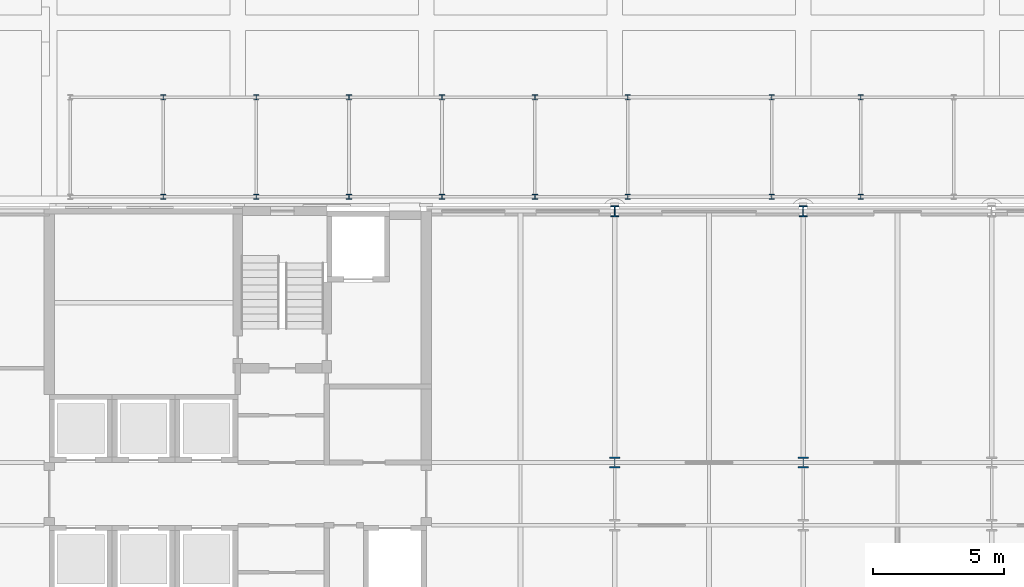
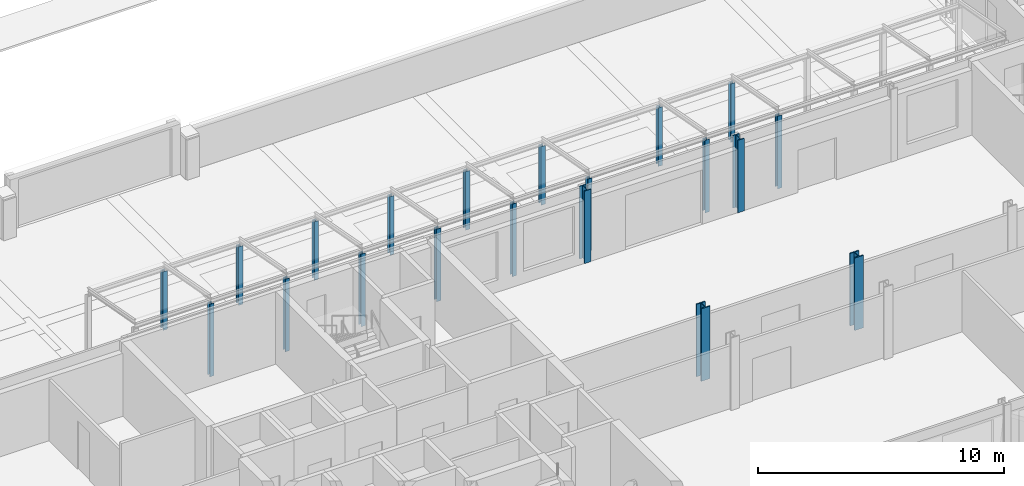
# One storey, part 18 of 143: 20 columns.
"""IFC4 building model written with IfcOpenShell, lengths in metres."""

from ifc_helpers import new_model, si_unit, direction, frame, origin, origin_2d, place, context, subcontext, project, spatial, i_section, extrude, material, material_profile, profile_set, type_object, element, save


model = new_model("IFC4")

# Units and contexts
model_context = context("Model", 3, precision=1e-05, world=origin(), true_north=direction((0.0, 1.0)))
body_context = subcontext(model_context, "Body", "Model", "MODEL_VIEW")
ifc_project = project(units=[si_unit("LENGTHUNIT", "METRE"), si_unit("AREAUNIT", "SQUARE_METRE"), si_unit("VOLUMEUNIT", "CUBIC_METRE"), si_unit("PLANEANGLEUNIT", "RADIAN"), si_unit("MASSUNIT", "GRAM", prefix="KILO")], contexts=[model_context])

# Site, building, storey
site_placement = place(None, origin())
site = spatial("IfcSite", under=ifc_project, at=site_placement, CompositionType="ELEMENT")
building_placement = place(site_placement, origin())
building = spatial("IfcBuilding", under=site, at=building_placement, Name="Kupolbacken Congress Centre", CompositionType="ELEMENT")
storey_placement = place(building_placement, frame((0.0, 0.0, 7.199951171875)))
storey = spatial("IfcBuildingStorey", under=building, at=storey_placement, Name="L02", CompositionType="ELEMENT", Elevation=7.199951171875)

# Columns
ifc_material_1 = material(Name="Steel S355", Category="steel")
ifc_material_profile_1 = material_profile(ifc_material_1, i_section(OverallWidth=0.408935546875, OverallDepth=0.425048828125, WebThickness=0.03271484375, FlangeThickness=0.052490234375, FilletRadius=0.014892578125, at=origin_2d()), Name="HD 400 x 421")
ifc_profile_set_1 = profile_set([ifc_material_profile_1], Name="Steel S355")
column_type_1 = type_object("IfcColumnType", Name="C01 column HD 400 x 421", PredefinedType="COLUMN", material=ifc_profile_set_1)
for number, where, z_axis, x_axis, name in (
    (1, (115.199951171875, 134.39990234375, 0.0), (0.0, 0.0, 1.0), (1.0, 0.0, 0.0), "S/col/C-T-17U+4800/L02"),
    (2, (122.39990234375, 134.39990234375, 0.0), (0.0, 0.0, 1.0), (1.0, 0.0, 0.0), "S/col/C-T-18U+4800/L02"),
):
    element("IfcColumn", number, at=place(storey_placement, frame(where, z_axis=z_axis, x_axis=x_axis)), inside=storey, type_object=column_type_1, Name=name, PredefinedType="COLUMN", context=body_context, shape_type="SweptSolid", body=[
        extrude(i_section(OverallWidth=0.408935546875, OverallDepth=0.425048828125, WebThickness=0.03271484375, FlangeThickness=0.052490234375, FilletRadius=0.014892578125, at=origin_2d()), origin(), (0.0, 0.0, 1.0), 3.60009765625),
    ])
ifc_material_2 = material(Name="Steel S355", Category="steel")
ifc_material_profile_2 = material_profile(ifc_material_2, i_section(OverallWidth=0.306884765625, OverallDepth=0.431884765625, WebThickness=0.02099609375, FlangeThickness=0.0400390625, FilletRadius=0.027099609375, at=origin_2d()), Name="HEM 400")
ifc_profile_set_2 = profile_set([ifc_material_profile_2], Name="Steel S355")
column_type_2 = type_object("IfcColumnType", Name="C02 column HEM 400", PredefinedType="COLUMN", material=ifc_profile_set_2)
for number, where, z_axis, x_axis, name in (
    (3, (115.199951171875, 144.0, 0.0), (0.0, 0.0, 1.0), (1.0, 0.0, 0.0), "S/col/C-T-17W/L02"),
    (4, (122.39990234375, 144.0, 0.0), (0.0, 0.0, 1.0), (1.0, 0.0, 0.0), "S/col/C-T-18W/L02"),
):
    element("IfcColumn", number, at=place(storey_placement, frame(where, z_axis=z_axis, x_axis=x_axis)), inside=storey, type_object=column_type_2, Name=name, PredefinedType="COLUMN", context=body_context, shape_type="SweptSolid", body=[
        extrude(i_section(OverallWidth=0.306884765625, OverallDepth=0.431884765625, WebThickness=0.02099609375, FlangeThickness=0.0400390625, FilletRadius=0.027099609375, at=origin_2d()), origin(), (0.0, 0.0, 1.0), 3.60009765625),
    ])
ifc_material_3 = material(Name="Steel S355", Category="steel")
ifc_material_profile_3 = material_profile(ifc_material_3, i_section(OverallWidth=0.199951171875, OverallDepth=0.199951171875, WebThickness=0.009033203125, FlangeThickness=0.014892578125, FilletRadius=0.01806640625, at=origin_2d()), Name="HEB 200")
ifc_profile_set_3 = profile_set([ifc_material_profile_3], Name="Steel S355")
column_type_3 = type_object("IfcColumnType", Name="C11 column HEB 200", PredefinedType="COLUMN", material=ifc_profile_set_3)
column_1_placement = place(storey_placement, frame((97.949951171875, 144.550048828125, 0.0), z_axis=(0.0, 0.0, 1.0), x_axis=(1.0, 0.0, 0.0)))
element("IfcColumn", 5, at=column_1_placement, inside=storey, type_object=column_type_3, Name="Covered passage column", PredefinedType="COLUMN", context=body_context, shape_type="SweptSolid", body=[
    extrude(i_section(OverallWidth=0.199951171875, OverallDepth=0.199951171875, WebThickness=0.009033203125, FlangeThickness=0.014892578125, FilletRadius=0.01806640625, at=origin_2d()), origin(), (0.0, 0.0, 1.0), 3.60009765625),
])
column_2_placement = place(storey_placement, frame((97.949951171875, 148.35009765625, 0.0), z_axis=(0.0, 0.0, 1.0), x_axis=(1.0, 0.0, 0.0)))
element("IfcColumn", 6, at=column_2_placement, inside=storey, type_object=column_type_3, Name="Covered passage column", PredefinedType="COLUMN", context=body_context, shape_type="SweptSolid", body=[
    extrude(i_section(OverallWidth=0.199951171875, OverallDepth=0.199951171875, WebThickness=0.009033203125, FlangeThickness=0.014892578125, FilletRadius=0.01806640625, at=origin_2d()), origin(), (0.0, 0.0, 1.0), 2.900146484375),
])
column_3_placement = place(storey_placement, frame((101.5, 144.550048828125, 0.0), z_axis=(0.0, 0.0, 1.0), x_axis=(1.0, 0.0, 0.0)))
element("IfcColumn", 7, at=column_3_placement, inside=storey, type_object=column_type_3, Name="Covered passage column", PredefinedType="COLUMN", context=body_context, shape_type="SweptSolid", body=[
    extrude(i_section(OverallWidth=0.199951171875, OverallDepth=0.199951171875, WebThickness=0.009033203125, FlangeThickness=0.014892578125, FilletRadius=0.01806640625, at=origin_2d()), origin(), (0.0, 0.0, 1.0), 3.60009765625),
])
column_4_placement = place(storey_placement, frame((101.5, 148.35009765625, 0.0), z_axis=(0.0, 0.0, 1.0), x_axis=(1.0, 0.0, 0.0)))
element("IfcColumn", 8, at=column_4_placement, inside=storey, type_object=column_type_3, Name="Covered passage column", PredefinedType="COLUMN", context=body_context, shape_type="SweptSolid", body=[
    extrude(i_section(OverallWidth=0.199951171875, OverallDepth=0.199951171875, WebThickness=0.009033203125, FlangeThickness=0.014892578125, FilletRadius=0.01806640625, at=origin_2d()), origin(), (0.0, 0.0, 1.0), 2.900146484375),
])
column_5_placement = place(storey_placement, frame((105.050048828125, 144.550048828125, 0.0), z_axis=(0.0, 0.0, 1.0), x_axis=(1.0, 0.0, 0.0)))
element("IfcColumn", 9, at=column_5_placement, inside=storey, type_object=column_type_3, Name="Covered passage column", PredefinedType="COLUMN", context=body_context, shape_type="SweptSolid", body=[
    extrude(i_section(OverallWidth=0.199951171875, OverallDepth=0.199951171875, WebThickness=0.009033203125, FlangeThickness=0.014892578125, FilletRadius=0.01806640625, at=origin_2d()), origin(), (0.0, 0.0, 1.0), 3.60009765625),
])
column_6_placement = place(storey_placement, frame((105.050048828125, 148.35009765625, 0.0), z_axis=(0.0, 0.0, 1.0), x_axis=(1.0, 0.0, 0.0)))
element("IfcColumn", 10, at=column_6_placement, inside=storey, type_object=column_type_3, Name="Covered passage column", PredefinedType="COLUMN", context=body_context, shape_type="SweptSolid", body=[
    extrude(i_section(OverallWidth=0.199951171875, OverallDepth=0.199951171875, WebThickness=0.009033203125, FlangeThickness=0.014892578125, FilletRadius=0.01806640625, at=origin_2d()), origin(), (0.0, 0.0, 1.0), 2.900146484375),
])
column_7_placement = place(storey_placement, frame((108.60009765625, 144.550048828125, 0.0), z_axis=(0.0, 0.0, 1.0), x_axis=(1.0, 0.0, 0.0)))
element("IfcColumn", 11, at=column_7_placement, inside=storey, type_object=column_type_3, Name="Covered passage column", PredefinedType="COLUMN", context=body_context, shape_type="SweptSolid", body=[
    extrude(i_section(OverallWidth=0.199951171875, OverallDepth=0.199951171875, WebThickness=0.009033203125, FlangeThickness=0.014892578125, FilletRadius=0.01806640625, at=origin_2d()), origin(), (0.0, 0.0, 1.0), 3.60009765625),
])
column_8_placement = place(storey_placement, frame((108.60009765625, 148.35009765625, 0.0), z_axis=(0.0, 0.0, 1.0), x_axis=(1.0, 0.0, 0.0)))
element("IfcColumn", 12, at=column_8_placement, inside=storey, type_object=column_type_3, Name="Covered passage column", PredefinedType="COLUMN", context=body_context, shape_type="SweptSolid", body=[
    extrude(i_section(OverallWidth=0.199951171875, OverallDepth=0.199951171875, WebThickness=0.009033203125, FlangeThickness=0.014892578125, FilletRadius=0.01806640625, at=origin_2d()), origin(), (0.0, 0.0, 1.0), 2.900146484375),
])
column_9_placement = place(storey_placement, frame((112.14990234375, 144.550048828125, 0.0), z_axis=(0.0, 0.0, 1.0), x_axis=(1.0, 0.0, 0.0)))
element("IfcColumn", 13, at=column_9_placement, inside=storey, type_object=column_type_3, Name="Covered passage column", PredefinedType="COLUMN", context=body_context, shape_type="SweptSolid", body=[
    extrude(i_section(OverallWidth=0.199951171875, OverallDepth=0.199951171875, WebThickness=0.009033203125, FlangeThickness=0.014892578125, FilletRadius=0.01806640625, at=origin_2d()), origin(), (0.0, 0.0, 1.0), 3.60009765625),
])
column_10_placement = place(storey_placement, frame((112.14990234375, 148.35009765625, 0.0), z_axis=(0.0, 0.0, 1.0), x_axis=(1.0, 0.0, 0.0)))
element("IfcColumn", 14, at=column_10_placement, inside=storey, type_object=column_type_3, Name="Covered passage column", PredefinedType="COLUMN", context=body_context, shape_type="SweptSolid", body=[
    extrude(i_section(OverallWidth=0.199951171875, OverallDepth=0.199951171875, WebThickness=0.009033203125, FlangeThickness=0.014892578125, FilletRadius=0.01806640625, at=origin_2d()), origin(), (0.0, 0.0, 1.0), 2.900146484375),
])
column_11_placement = place(storey_placement, frame((115.699951171875, 144.550048828125, 0.0), z_axis=(0.0, 0.0, 1.0), x_axis=(1.0, 0.0, 0.0)))
element("IfcColumn", 15, at=column_11_placement, inside=storey, type_object=column_type_3, Name="Covered passage column", PredefinedType="COLUMN", context=body_context, shape_type="SweptSolid", body=[
    extrude(i_section(OverallWidth=0.199951171875, OverallDepth=0.199951171875, WebThickness=0.009033203125, FlangeThickness=0.014892578125, FilletRadius=0.01806640625, at=origin_2d()), origin(), (0.0, 0.0, 1.0), 3.60009765625),
])
column_12_placement = place(storey_placement, frame((115.699951171875, 148.35009765625, 0.0), z_axis=(0.0, 0.0, 1.0), x_axis=(1.0, 0.0, 0.0)))
element("IfcColumn", 16, at=column_12_placement, inside=storey, type_object=column_type_3, Name="Covered passage column", PredefinedType="COLUMN", context=body_context, shape_type="SweptSolid", body=[
    extrude(i_section(OverallWidth=0.199951171875, OverallDepth=0.199951171875, WebThickness=0.009033203125, FlangeThickness=0.014892578125, FilletRadius=0.01806640625, at=origin_2d()), origin(), (0.0, 0.0, 1.0), 2.900146484375),
])
column_13_placement = place(storey_placement, frame((121.199951171875, 144.550048828125, 0.0), z_axis=(0.0, 0.0, 1.0), x_axis=(1.0, 0.0, 0.0)))
element("IfcColumn", 17, at=column_13_placement, inside=storey, type_object=column_type_3, Name="Covered passage column", PredefinedType="COLUMN", context=body_context, shape_type="SweptSolid", body=[
    extrude(i_section(OverallWidth=0.199951171875, OverallDepth=0.199951171875, WebThickness=0.009033203125, FlangeThickness=0.014892578125, FilletRadius=0.01806640625, at=origin_2d()), origin(), (0.0, 0.0, 1.0), 3.60009765625),
])
column_14_placement = place(storey_placement, frame((121.199951171875, 148.35009765625, 0.0), z_axis=(0.0, 0.0, 1.0), x_axis=(1.0, 0.0, 0.0)))
element("IfcColumn", 18, at=column_14_placement, inside=storey, type_object=column_type_3, Name="Covered passage column", PredefinedType="COLUMN", context=body_context, shape_type="SweptSolid", body=[
    extrude(i_section(OverallWidth=0.199951171875, OverallDepth=0.199951171875, WebThickness=0.009033203125, FlangeThickness=0.014892578125, FilletRadius=0.01806640625, at=origin_2d()), origin(), (0.0, 0.0, 1.0), 2.900146484375),
])
column_15_placement = place(storey_placement, frame((124.60009765625, 144.550048828125, 0.0), z_axis=(0.0, 0.0, 1.0), x_axis=(1.0, 0.0, 0.0)))
element("IfcColumn", 19, at=column_15_placement, inside=storey, type_object=column_type_3, Name="Covered passage column", PredefinedType="COLUMN", context=body_context, shape_type="SweptSolid", body=[
    extrude(i_section(OverallWidth=0.199951171875, OverallDepth=0.199951171875, WebThickness=0.009033203125, FlangeThickness=0.014892578125, FilletRadius=0.01806640625, at=origin_2d()), origin(), (0.0, 0.0, 1.0), 3.60009765625),
])
column_16_placement = place(storey_placement, frame((124.60009765625, 148.35009765625, 0.0), z_axis=(0.0, 0.0, 1.0), x_axis=(1.0, 0.0, 0.0)))
element("IfcColumn", 20, at=column_16_placement, inside=storey, type_object=column_type_3, Name="Covered passage column", PredefinedType="COLUMN", context=body_context, shape_type="SweptSolid", body=[
    extrude(i_section(OverallWidth=0.199951171875, OverallDepth=0.199951171875, WebThickness=0.009033203125, FlangeThickness=0.014892578125, FilletRadius=0.01806640625, at=origin_2d()), origin(), (0.0, 0.0, 1.0), 2.900146484375),
])

save(model, "model.ifc")
